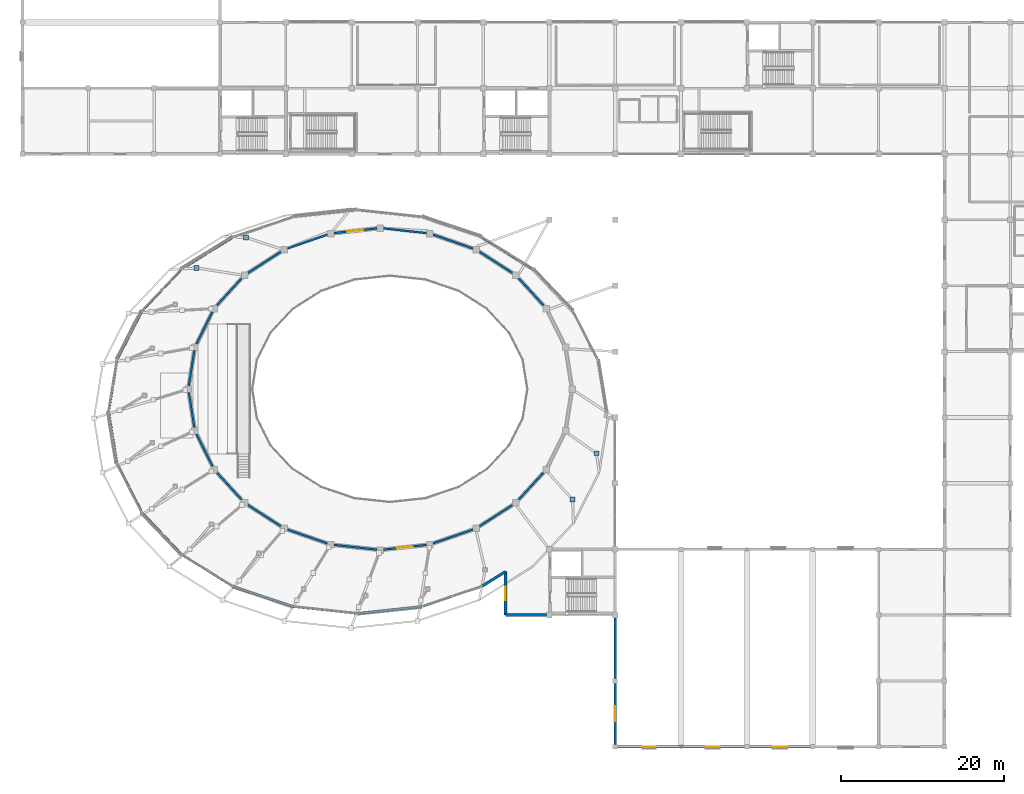
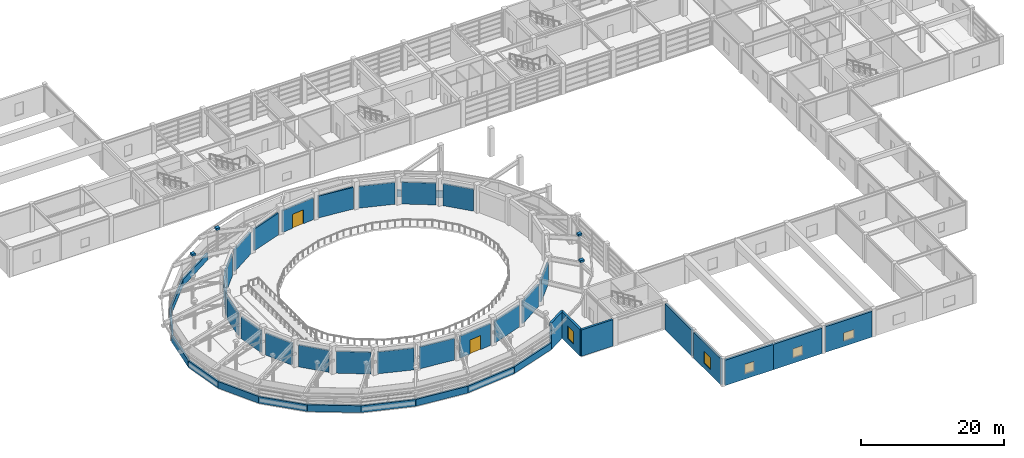
# One storey, part 41 of 58: 41 walls, 5 windows, 4 plates, 2 doors, 7 openings.
"""IFC4 building model written with IfcOpenShell, lengths in metres."""

from ifc_helpers import new_model, si_unit, direction, frame, frame_2d, origin, origin_2d, place, context, subcontext, project, spatial, rectangle, extrude, material, layer, layer_set, type_object, element, fill, save


model = new_model("IFC4")

# Units and contexts
model_context = context("Model", 3, precision=1e-05, world=origin(), true_north=direction((0.0, 1.0)))
body_context = subcontext(model_context, "Body", "Model", "MODEL_VIEW")
ifc_project = project(units=[si_unit("LENGTHUNIT", "METRE"), si_unit("AREAUNIT", "SQUARE_METRE"), si_unit("VOLUMEUNIT", "CUBIC_METRE"), si_unit("PLANEANGLEUNIT", "RADIAN"), si_unit("MASSUNIT", "GRAM", prefix="KILO")], contexts=[model_context])

# Site, building, storey
site_placement = place(None, origin())
site = spatial("IfcSite", under=ifc_project, at=site_placement, CompositionType="ELEMENT")
building_placement = place(site_placement, origin())
building = spatial("IfcBuilding", under=site, at=building_placement, Name="Parian Resonance Hall", CompositionType="ELEMENT")
storey_placement = place(building_placement, frame((0.0, 0.0, 10.199951171875)))
storey = spatial("IfcBuildingStorey", under=building, at=storey_placement, Name="L02", CompositionType="ELEMENT", Elevation=10.199951171875)

# Plates
ifc_material_1 = material(Name="Steel S355", Category="steel")
ifc_layer_1 = layer(ifc_material_1, 0.340087890625)
ifc_layer_set_1 = layer_set([ifc_layer_1], Name="Steel S355")
plate_type = type_object("IfcPlateType", Name="PLT-CAP-500", PredefinedType="SHEET", material=ifc_layer_set_1)
for number, where, z_axis, x_axis, name in (
    (1, (21.410888671875, 58.887939453125, 4.6298828125), (0.0, 0.0, 1.0), (1.0, 0.0, 0.0), "Steel hollow-section node closure block 0081"),
    (2, (27.5, 62.637939453125, 4.6298828125), (0.0, 0.0, 1.0), (1.0, 0.0, 0.0), "Steel hollow-section node closure block 0109"),
    (3, (67.660888671875, 30.39990234375, 4.6298828125), (0.0, 0.0, 1.0), (1.0, 0.0, 0.0), "Steel hollow-section node closure block 0276"),
    (4, (70.597900390625, 36.092041015625, 4.6298828125), (0.0, 0.0, 1.0), (1.0, 0.0, 0.0), "Steel hollow-section node closure block 0279"),
):
    element("IfcPlate", number, at=place(storey_placement, frame(where, z_axis=z_axis, x_axis=x_axis)), inside=storey, type_object=plate_type, Name=name, PredefinedType="SHEET", context=body_context, shape_type="SweptSolid", body=[
        extrude(rectangle(XDim=0.580078125, YDim=0.580078125, at=origin_2d()), origin(), (0.0, 0.0, 1.0), 0.340087890625),
    ])

# Walls
ifc_material_2 = material(Name="Concrete C35/45 with white lime plaster and polychrome mosaic", Category="concrete")
ifc_layer_2 = layer(ifc_material_2, 0.2900390625)
ifc_layer_set_2 = layer_set([ifc_layer_2], Name="Concrete C35/45 with white lime plaster and polychrome mosaic")
wall_type_1 = type_object("IfcWallType", Name="EW-RING-290", PredefinedType="SOLIDWALL", material=ifc_layer_set_2)
for number, where, z_axis, x_axis, name in (
    (5, (56.5, 62.677490234375, 0.0), (0.0, 0.0, 1.0), (0.849168757423, -0.528121597189, 0.0), "Elliptical R2 mosaic spandrel wall 04"),
    (6, (19.5625, 58.736083984375, 0.0), (0.0, 0.0, 1.0), (0.849168757423, 0.528121597189, 0.0), "Elliptical R2 mosaic spandrel wall 09"),
):
    element("IfcWall", number, at=place(storey_placement, frame(where, z_axis=z_axis, x_axis=x_axis)), inside=storey, type_object=wall_type_1, Name=name, PredefinedType="SOLIDWALL", context=body_context, shape_type="SweptSolid", body=[
        extrude(rectangle(XDim=7.463134765625, YDim=0.2900390625, at=frame_2d((3.7314453125, 0.0))), origin(), (0.0, 0.0, 1.0), 1.150146484375),
    ])
wall_1_placement = place(storey_placement, frame((14.69970703125, 53.60009765625, 0.0), z_axis=(0.0, 0.0, 1.0), x_axis=(0.687530152582, 0.726155829895, 0.0)))
element("IfcWall", 7, at=wall_1_placement, inside=storey, type_object=wall_type_1, Name="Elliptical R2 mosaic spandrel wall 10", PredefinedType="SOLIDWALL", context=body_context, shape_type="SweptSolid", body=[
    extrude(rectangle(XDim=7.07275390625, YDim=0.2900390625, at=frame_2d((3.536376953125, 0.0))), origin(), (0.0, 0.0, 1.0), 1.150146484375),
])
wall_2_placement = place(storey_placement, frame((11.642578125, 47.61865234375, 0.0), z_axis=(0.0, 0.0, 1.0), x_axis=(0.455104656104, 0.890437955162, 0.0)))
element("IfcWall", 8, at=wall_2_placement, inside=storey, type_object=wall_type_1, Name="Elliptical R2 mosaic spandrel wall 11", PredefinedType="SOLIDWALL", context=body_context, shape_type="SweptSolid", body=[
    extrude(rectangle(XDim=6.717529296875, YDim=0.2900390625, at=frame_2d((3.35888671875, 0.0))), origin(), (0.0, 0.0, 1.0), 1.150146484375),
])
for number, where, z_axis, x_axis, name in (
    (9, (10.60009765625, 41.199951171875, 0.0), (0.0, 0.0, 1.0), (0.160312396627, 0.987066327806, 0.0), "Elliptical R2 mosaic spandrel wall 12"),
    (10, (11.642578125, 34.78125, 0.0), (0.0, 0.0, 1.0), (-0.160312396627, 0.987066327806, 0.0), "Elliptical R2 mosaic spandrel wall 13"),
):
    element("IfcWall", number, at=place(storey_placement, frame(where, z_axis=z_axis, x_axis=x_axis)), inside=storey, type_object=wall_type_1, Name=name, PredefinedType="SOLIDWALL", context=body_context, shape_type="SweptSolid", body=[
        extrude(rectangle(XDim=6.502685546875, YDim=0.2900390625, at=frame_2d((3.25146484375, 0.0))), origin(), (0.0, 0.0, 1.0), 1.150146484375),
    ])
wall_3_placement = place(storey_placement, frame((14.69970703125, 28.800048828125, 0.0), z_axis=(0.0, 0.0, 1.0), x_axis=(-0.455119384815, 0.890430427134, 0.0)))
element("IfcWall", 11, at=wall_3_placement, inside=storey, type_object=wall_type_1, Name="Elliptical R2 mosaic spandrel wall 14", PredefinedType="SOLIDWALL", context=body_context, shape_type="SweptSolid", body=[
    extrude(rectangle(XDim=6.71728515625, YDim=0.2900390625, at=frame_2d((3.358642578125, 0.0))), origin(), (0.0, 0.0, 1.0), 1.150146484375),
])
wall_4_placement = place(storey_placement, frame((19.5625, 23.663818359375, 0.0), z_axis=(0.0, 0.0, 1.0), x_axis=(-0.687512919554, 0.726172145877, 0.0)))
element("IfcWall", 12, at=wall_4_placement, inside=storey, type_object=wall_type_1, Name="Elliptical R2 mosaic spandrel wall 15", PredefinedType="SOLIDWALL", context=body_context, shape_type="SweptSolid", body=[
    extrude(rectangle(XDim=7.072998046875, YDim=0.2900390625, at=frame_2d((3.53662109375, 0.0))), origin(), (0.0, 0.0, 1.0), 1.150146484375),
])
wall_5_placement = place(storey_placement, frame((25.89990234375, 19.72265625, 0.0), z_axis=(0.0, 0.0, 1.0), x_axis=(-0.849183428044, 0.528098007509, 0.0)))
element("IfcWall", 13, at=wall_5_placement, inside=storey, type_object=wall_type_1, Name="Elliptical R2 mosaic spandrel wall 16", PredefinedType="SOLIDWALL", context=body_context, shape_type="SweptSolid", body=[
    extrude(rectangle(XDim=7.462890625, YDim=0.2900390625, at=frame_2d((3.7314453125, 0.0))), origin(), (0.0, 0.0, 1.0), 1.150146484375),
])
wall_6_placement = place(storey_placement, frame((33.280029296875, 17.2451171875, 0.0), z_axis=(0.0, 0.0, 1.0), x_axis=(-0.948006883481, 0.318249821481, 0.0)))
element("IfcWall", 14, at=wall_6_placement, inside=storey, type_object=wall_type_1, Name="Elliptical R2 mosaic spandrel wall 17", PredefinedType="SOLIDWALL", context=body_context, shape_type="SweptSolid", body=[
    extrude(rectangle(XDim=7.784912109375, YDim=0.2900390625, at=frame_2d((3.892578125, 0.0))), origin(), (0.0, 0.0, 1.0), 1.150146484375),
])
for number, where, z_axis, x_axis, name in (
    (15, (41.199951171875, 16.39990234375, 0.0), (0.0, 0.0, 1.0), (-0.99435359569, 0.106117513819, 0.0), "Elliptical R2 mosaic spandrel wall 18"),
    (16, (49.119873046875, 17.2451171875, 0.0), (0.0, 0.0, 1.0), (-0.99435359569, -0.106117513819, 0.0), "Elliptical R2 mosaic spandrel wall 19"),
):
    element("IfcWall", number, at=place(storey_placement, frame(where, z_axis=z_axis, x_axis=x_axis)), inside=storey, type_object=wall_type_1, Name=name, PredefinedType="SOLIDWALL", context=body_context, shape_type="SweptSolid", body=[
        extrude(rectangle(XDim=7.96484375, YDim=0.2900390625, at=frame_2d((3.982421875, 0.0))), origin(), (0.0, 0.0, 1.0), 1.150146484375),
    ])
wall_7_placement = place(storey_placement, frame((56.5, 19.72265625, 0.0), z_axis=(0.0, 0.0, 1.0), x_axis=(-0.948006883481, -0.318249821481, 0.0)))
element("IfcWall", 17, at=wall_7_placement, inside=storey, type_object=wall_type_1, Name="Elliptical R2 mosaic spandrel wall 20", PredefinedType="SOLIDWALL", context=body_context, shape_type="SweptSolid", body=[
    extrude(rectangle(XDim=7.784912109375, YDim=0.2900390625, at=frame_2d((3.892578125, 0.0))), origin(), (0.0, 0.0, 1.0), 1.150146484375),
])

# Wall, opening, window
ifc_material_3 = material(Name="Concrete C35/45 with Carcar coral-limestone ashlar", Category="masonry")
ifc_layer_3 = layer(ifc_material_3, 0.340087890625)
ifc_layer_set_3 = layer_set([ifc_layer_3], Name="Concrete C35/45 with Carcar coral-limestone ashlar")
wall_type_2 = type_object("IfcWallType", Name="EW-STONE-340", PredefinedType="SOLIDWALL", material=ifc_layer_set_3)
wall_8_placement = place(storey_placement, frame((72.89990234375, 7.800048828125, 0.0), z_axis=(0.0, 0.0, 1.0), x_axis=(0.0, -1.0, 0.0)))
wall_8 = element("IfcWall", 18, at=wall_8_placement, inside=storey, type_object=wall_type_2, Name="Exterior wall EW-L02-0141", PredefinedType="SOLIDWALL", context=body_context, shape_type="SweptSolid", body=[
    extrude(rectangle(XDim=7.5, YDim=0.340087890625, at=frame_2d((3.75, 0.0))), origin(), (0.0, 0.0, 1.0), 4.43701171875),
])
opening_1_placement = place(wall_8_placement, frame((2.824951171875, 0.0, 0.89990234375)))
opening_1 = element("IfcOpeningElement", 19, at=opening_1_placement, cuts=wall_8, Name="Opening WN-34", PredefinedType="OPENING", context=body_context, shape_type="SweptSolid", body=[
    extrude(rectangle(XDim=1.85009765625, YDim=2.0, at=frame_2d((0.925048828125, 1.0))), frame((0.0, 0.179931640625, 0.0), z_axis=(0.0, -1.0, 0.0), x_axis=(1.0, 0.0, 0.0)), (0.0, 0.0, 1.0), 0.360107421875),
])
ifc_material_4 = material(Name="Acoustic laminated double glazing", Category="glass")
window_type_1 = type_object("IfcWindowType", Name="WIN-1850x2000", PartitioningType="SINGLE_PANEL", PredefinedType="WINDOW", material=ifc_material_4)
window_1_placement = place(opening_1_placement, origin())
window_1 = element("IfcWindow", 20, at=window_1_placement, inside=storey, type_object=window_type_1, Name="Acoustic window L02-0032", OverallHeight=2.0, OverallWidth=1.85009765625, PartitioningType="SINGLE_PANEL", PredefinedType="WINDOW", context=body_context, shape_type="SweptSolid", body=[
    extrude(rectangle(XDim=1.85009765625, YDim=2.0, at=frame_2d((0.925048828125, 1.0))), frame((0.0, 0.030029296875, 0.0), z_axis=(0.0, -1.0, 0.0), x_axis=(1.0, 0.0, 0.0)), (0.0, 0.0, 1.0), 0.06005859375),
])
fill(opening_1, window_1)

# Walls
wall_9_placement = place(storey_placement, frame((72.89990234375, 15.85009765625, 0.0), z_axis=(0.0, 0.0, 1.0), x_axis=(0.0, -1.0, 0.0)))
element("IfcWall", 21, at=wall_9_placement, inside=storey, type_object=wall_type_2, Name="Exterior wall EW-L02-0142", PredefinedType="SOLIDWALL", context=body_context, shape_type="SweptSolid", body=[
    extrude(rectangle(XDim=7.4501953125, YDim=0.340087890625, at=frame_2d((3.72509765625, 0.0))), origin(), (0.0, 0.0, 1.0), 4.43701171875),
])
wall_10_placement = place(storey_placement, frame((56.5, 19.722900390625, 0.0), z_axis=(0.0, 0.0, 1.0), x_axis=(0.849241135824, 0.528005201891, 0.0)))
element("IfcWall", 22, at=wall_10_placement, inside=storey, type_object=wall_type_2, Name="Perimeter closure wall L02", PredefinedType="SOLIDWALL", context=body_context, shape_type="SweptSolid", body=[
    extrude(rectangle(XDim=3.414794921875, YDim=0.340087890625, at=frame_2d((1.70751953125, 0.0))), origin(), (0.0, 0.0, 1.0), 4.5),
])

# Wall, opening, window
wall_11_placement = place(storey_placement, frame((59.39990234375, 21.52587890625, 0.0), z_axis=(0.0, 0.0, 1.0), x_axis=(0.0, -1.0, 0.0)))
wall_11 = element("IfcWall", 23, at=wall_11_placement, inside=storey, type_object=wall_type_2, Name="Perimeter closure wall L02", PredefinedType="SOLIDWALL", context=body_context, shape_type="SweptSolid", body=[
    extrude(rectangle(XDim=5.325927734375, YDim=0.340087890625, at=frame_2d((2.6630859375, 0.0))), origin(), (0.0, 0.0, 1.0), 4.5),
])
opening_2_placement = place(wall_11_placement, frame((1.837890625, 0.0, 0.89990234375)))
opening_2 = element("IfcOpeningElement", 24, at=opening_2_placement, cuts=wall_11, Name="Opening WN-29", PredefinedType="OPENING", context=body_context, shape_type="SweptSolid", body=[
    extrude(rectangle(XDim=1.64990234375, YDim=2.14990234375, at=frame_2d((0.824951171875, 1.074951171875))), frame((0.0, 0.179931640625, 0.0), z_axis=(0.0, -1.0, 0.0), x_axis=(1.0, 0.0, 0.0)), (0.0, 0.0, 1.0), 0.360107421875),
])
ifc_material_5 = material(Name="Acoustic laminated double glazing", Category="glass")
window_type_2 = type_object("IfcWindowType", Name="WIN-1650x2150", PartitioningType="SINGLE_PANEL", PredefinedType="WINDOW", material=ifc_material_5)
window_2_placement = place(opening_2_placement, origin())
window_2 = element("IfcWindow", 25, at=window_2_placement, inside=storey, type_object=window_type_2, Name="Acoustic window L02-0103", OverallHeight=2.14990234375, OverallWidth=1.64990234375, PartitioningType="SINGLE_PANEL", PredefinedType="WINDOW", context=body_context, shape_type="SweptSolid", body=[
    extrude(rectangle(XDim=1.64990234375, YDim=2.14990234375, at=frame_2d((0.824951171875, 1.074951171875))), frame((0.0, 0.030029296875, 0.0), z_axis=(0.0, -1.0, 0.0), x_axis=(1.0, 0.0, 0.0)), (0.0, 0.0, 1.0), 0.06005859375),
])
fill(opening_2, window_2)

# Wall
wall_12_placement = place(storey_placement, frame((59.39990234375, 16.199951171875, 0.0), z_axis=(0.0, 0.0, 1.0), x_axis=(1.0, 0.0, 0.0)))
element("IfcWall", 26, at=wall_12_placement, inside=storey, type_object=wall_type_2, Name="Perimeter closure wall L02", PredefinedType="SOLIDWALL", context=body_context, shape_type="SweptSolid", body=[
    extrude(rectangle(XDim=5.050048828125, YDim=0.340087890625, at=frame_2d((2.52490234375, 0.0))), origin(), (0.0, 0.0, 1.0), 4.5),
])

# Wall, opening, window
ifc_material_6 = material(Name="Concrete C35/45 with Carcar coral-limestone ashlar", Category="masonry")
ifc_layer_4 = layer(ifc_material_6, 0.360107421875)
ifc_layer_set_4 = layer_set([ifc_layer_4], Name="Concrete C35/45 with Carcar coral-limestone ashlar")
wall_type_3 = type_object("IfcWallType", Name="EW-STONE-360", PredefinedType="SOLIDWALL", material=ifc_layer_set_4)
wall_13_placement = place(storey_placement, frame((81.0, 0.0, 0.0), z_axis=(0.0, 0.0, 1.0), x_axis=(-1.0, 0.0, 0.0)))
wall_13 = element("IfcWall", 27, at=wall_13_placement, inside=storey, type_object=wall_type_3, Name="Exterior wall EW-L02-0126", PredefinedType="SOLIDWALL", context=body_context, shape_type="SweptSolid", body=[
    extrude(rectangle(XDim=7.800048828125, YDim=0.360107421875, at=frame_2d((3.89990234375, 0.0))), origin(), (0.0, 0.0, 1.0), 4.324951171875),
])
opening_3_placement = place(wall_13_placement, frame((3.175048828125, 0.0, 0.89990234375)))
opening_3 = element("IfcOpeningElement", 28, at=opening_3_placement, cuts=wall_13, Name="Opening WN-21", PredefinedType="OPENING", context=body_context, shape_type="SweptSolid", body=[
    extrude(rectangle(XDim=1.449951171875, YDim=1.60009765625, at=frame_2d((0.72509765625, 0.800048828125))), frame((0.0, 0.18994140625, 0.0), z_axis=(0.0, -1.0, 0.0), x_axis=(1.0, 0.0, 0.0)), (0.0, 0.0, 1.0), 0.380126953125),
])
ifc_material_7 = material(Name="Acoustic laminated double glazing", Category="glass")
window_type_3 = type_object("IfcWindowType", Name="WIN-1450x1600", PartitioningType="SINGLE_PANEL", PredefinedType="WINDOW", material=ifc_material_7)
window_3_placement = place(opening_3_placement, origin())
window_3 = element("IfcWindow", 29, at=window_3_placement, inside=storey, type_object=window_type_3, Name="Acoustic window L02-0020", OverallHeight=1.60009765625, OverallWidth=1.449951171875, PartitioningType="SINGLE_PANEL", PredefinedType="WINDOW", context=body_context, shape_type="SweptSolid", body=[
    extrude(rectangle(XDim=1.449951171875, YDim=1.60009765625, at=frame_2d((0.72509765625, 0.800048828125))), frame((0.0, 0.030029296875, 0.0), z_axis=(0.0, -1.0, 0.0), x_axis=(1.0, 0.0, 0.0)), (0.0, 0.0, 1.0), 0.06005859375),
])
fill(opening_3, window_3)

wall_14_placement = place(storey_placement, frame((88.800048828125, 0.0, 0.0), z_axis=(0.0, 0.0, 1.0), x_axis=(-1.0, 0.0, 0.0)))
wall_14 = element("IfcWall", 30, at=wall_14_placement, inside=storey, type_object=wall_type_3, Name="Exterior wall EW-L02-0130", PredefinedType="SOLIDWALL", context=body_context, shape_type="SweptSolid", body=[
    extrude(rectangle(XDim=7.800048828125, YDim=0.360107421875, at=frame_2d((3.89990234375, 0.0))), origin(), (0.0, 0.0, 1.0), 4.324951171875),
])
opening_4_placement = place(wall_14_placement, frame((3.125, 0.0, 0.89990234375)))
opening_4 = element("IfcOpeningElement", 31, at=opening_4_placement, cuts=wall_14, Name="Opening WN-24", PredefinedType="OPENING", context=body_context, shape_type="SweptSolid", body=[
    extrude(rectangle(XDim=1.550048828125, YDim=1.550048828125, at=frame_2d((0.77490234375, 0.77490234375))), frame((0.0, 0.18994140625, 0.0), z_axis=(0.0, -1.0, 0.0), x_axis=(1.0, 0.0, 0.0)), (0.0, 0.0, 1.0), 0.380126953125),
])
ifc_material_8 = material(Name="Acoustic laminated double glazing", Category="glass")
window_type_4 = type_object("IfcWindowType", Name="WIN-1550x1550", PartitioningType="SINGLE_PANEL", PredefinedType="WINDOW", material=ifc_material_8)
window_4_placement = place(opening_4_placement, origin())
window_4 = element("IfcWindow", 32, at=window_4_placement, inside=storey, type_object=window_type_4, Name="Acoustic window L02-0022", OverallHeight=1.550048828125, OverallWidth=1.550048828125, PartitioningType="SINGLE_PANEL", PredefinedType="WINDOW", context=body_context, shape_type="SweptSolid", body=[
    extrude(rectangle(XDim=1.550048828125, YDim=1.550048828125, at=frame_2d((0.77490234375, 0.77490234375))), frame((0.0, 0.030029296875, 0.0), z_axis=(0.0, -1.0, 0.0), x_axis=(1.0, 0.0, 0.0)), (0.0, 0.0, 1.0), 0.06005859375),
])
fill(opening_4, window_4)

wall_15_placement = place(storey_placement, frame((96.89990234375, 0.0, 0.0), z_axis=(0.0, 0.0, 1.0), x_axis=(-1.0, 0.0, 0.0)))
wall_15 = element("IfcWall", 33, at=wall_15_placement, inside=storey, type_object=wall_type_3, Name="Exterior wall EW-L02-0133", PredefinedType="SOLIDWALL", context=body_context, shape_type="SweptSolid", body=[
    extrude(rectangle(XDim=7.5, YDim=0.360107421875, at=frame_2d((3.75, 0.0))), origin(), (0.0, 0.0, 1.0), 4.376953125),
])
opening_5_placement = place(wall_15_placement, frame((2.925048828125, 0.0, 0.89990234375)))
opening_5 = element("IfcOpeningElement", 34, at=opening_5_placement, cuts=wall_15, Name="Opening WN-27", PredefinedType="OPENING", context=body_context, shape_type="SweptSolid", body=[
    extrude(rectangle(XDim=1.64990234375, YDim=1.39990234375, at=frame_2d((0.824951171875, 0.699951171875))), frame((0.0, 0.18994140625, 0.0), z_axis=(0.0, -1.0, 0.0), x_axis=(1.0, 0.0, 0.0)), (0.0, 0.0, 1.0), 0.380126953125),
])
ifc_material_9 = material(Name="Acoustic laminated double glazing", Category="glass")
window_type_5 = type_object("IfcWindowType", Name="WIN-1650x1400", PartitioningType="SINGLE_PANEL", PredefinedType="WINDOW", material=ifc_material_9)
window_5_placement = place(opening_5_placement, origin())
window_5 = element("IfcWindow", 35, at=window_5_placement, inside=storey, type_object=window_type_5, Name="Acoustic window L02-0025", OverallHeight=1.39990234375, OverallWidth=1.64990234375, PartitioningType="SINGLE_PANEL", PredefinedType="WINDOW", context=body_context, shape_type="SweptSolid", body=[
    extrude(rectangle(XDim=1.64990234375, YDim=1.39990234375, at=frame_2d((0.824951171875, 0.699951171875))), frame((0.0, 0.030029296875, 0.0), z_axis=(0.0, -1.0, 0.0), x_axis=(1.0, 0.0, 0.0)), (0.0, 0.0, 1.0), 0.06005859375),
])
fill(opening_5, window_5)

# Walls
ifc_material_10 = material(Name="Concrete C35/45 fire barrier", Category="concrete")
ifc_layer_5 = layer(ifc_material_10, 0.25)
ifc_layer_set_5 = layer_set([ifc_layer_5], Name="Concrete C35/45 fire barrier")
wall_type_4 = type_object("IfcWallType", Name="HW250", PredefinedType="SOLIDWALL", material=ifc_layer_set_5)
wall_16_placement = place(storey_placement, frame((61.053466796875, 57.6005859375, 0.0), z_axis=(0.0, 0.0, 1.0), x_axis=(0.674940761195, -0.73787191902, 0.0)))
element("IfcWall", 36, at=wall_16_placement, inside=storey, type_object=wall_type_4, Name="Main Concert Hall acoustic drum wall L02-03", PredefinedType="SOLIDWALL", context=body_context, shape_type="SweptSolid", body=[
    extrude(rectangle(XDim=4.47314453125, YDim=0.25, at=frame_2d((2.236572265625, 0.0))), origin(), (0.0, 0.0, 1.0), 3.72412109375),
])
wall_17_placement = place(storey_placement, frame((56.199951171875, 60.889892578125, 0.0), z_axis=(0.0, 0.0, 1.0), x_axis=(0.840820955445, -0.541313329675, 0.0)))
element("IfcWall", 37, at=wall_17_placement, inside=storey, type_object=wall_type_4, Name="Main Concert Hall acoustic drum wall L02-04", PredefinedType="SOLIDWALL", context=body_context, shape_type="SweptSolid", body=[
    extrude(rectangle(XDim=4.861572265625, YDim=0.25, at=frame_2d((2.4306640625, 0.0))), origin(), (0.0, 0.0, 1.0), 3.72412109375),
])
wall_18_placement = place(storey_placement, frame((50.508056640625, 62.986328125, 0.0), z_axis=(0.0, 0.0, 1.0), x_axis=(0.94459024808, -0.328251828985, 0.0)))
element("IfcWall", 38, at=wall_18_placement, inside=storey, type_object=wall_type_4, Name="Main Concert Hall acoustic drum wall L02-05", PredefinedType="SOLIDWALL", context=body_context, shape_type="SweptSolid", body=[
    extrude(rectangle(XDim=5.1787109375, YDim=0.25, at=frame_2d((2.58935546875, 0.0))), origin(), (0.0, 0.0, 1.0), 3.72412109375),
])
wall_19_placement = place(storey_placement, frame((44.39990234375, 63.755859375, 0.0), z_axis=(0.0, 0.0, 1.0), x_axis=(0.99395267112, -0.109809323707, 0.0)))
element("IfcWall", 39, at=wall_19_placement, inside=storey, type_object=wall_type_4, Name="Main Concert Hall acoustic drum wall L02-06", PredefinedType="SOLIDWALL", context=body_context, shape_type="SweptSolid", body=[
    extrude(rectangle(XDim=5.34033203125, YDim=0.25, at=frame_2d((2.670166015625, 0.0))), origin(), (0.0, 0.0, 1.0), 3.72412109375),
])

# Wall, opening, door
wall_20_placement = place(storey_placement, frame((38.2919921875, 63.16943359375, 0.0), z_axis=(0.0, 0.0, 1.0), x_axis=(0.99395267112, 0.109809323707, 0.0)))
wall_20 = element("IfcWall", 40, at=wall_20_placement, inside=storey, type_object=wall_type_4, Name="Main Concert Hall acoustic drum wall L02-07", PredefinedType="SOLIDWALL", context=body_context, shape_type="SweptSolid", body=[
    extrude(rectangle(XDim=5.34033203125, YDim=0.25, at=frame_2d((2.670166015625, 0.0))), origin(), (0.0, 0.0, 1.0), 3.72412109375),
])
opening_6_placement = place(wall_20_placement, frame((1.72021484375, 0.0, 0.0)))
opening_6 = element("IfcOpeningElement", 41, at=opening_6_placement, cuts=wall_20, Name="Opening ID-03", PredefinedType="OPENING", context=body_context, shape_type="SweptSolid", body=[
    extrude(rectangle(XDim=1.89990234375, YDim=2.39990234375, at=frame_2d((0.949951171875, 1.199951171875))), frame((0.0, 0.135009765625, 0.0), z_axis=(0.0, -1.0, 0.0), x_axis=(1.0, 0.0, 0.0)), (0.0, 0.0, 1.0), 0.27001953125),
])
ifc_material_11 = material(Name="Fire-rated acoustic steel and narra timber door", Category="steel")
door_type = type_object("IfcDoorType", Name="ID-HALL-1900x2400", OperationType="NOTDEFINED", PredefinedType="DOOR", material=ifc_material_11)
door_1_placement = place(opening_6_placement, origin())
door_1 = element("IfcDoor", 42, at=door_1_placement, inside=storey, type_object=door_type, Name="Main Concert Hall acoustic sound-lock door L02-07", OperationType="DOUBLE_DOOR_SINGLE_SWING", OverallHeight=2.39990234375, OverallWidth=1.89990234375, PredefinedType="DOOR", context=body_context, shape_type="SweptSolid", body=[
    extrude(rectangle(XDim=1.89990234375, YDim=2.39990234375, at=frame_2d((0.949951171875, 1.199951171875))), frame((0.0, 0.02490234375, 0.0), z_axis=(0.0, -1.0, 0.0), x_axis=(1.0, 0.0, 0.0)), (0.0, 0.0, 1.0), 0.050048828125),
])
fill(opening_6, door_1)

# Walls
wall_21_placement = place(storey_placement, frame((32.60009765625, 61.286376953125, 0.0), z_axis=(0.0, 0.0, 1.0), x_axis=(0.94459024808, 0.328251828985, 0.0)))
element("IfcWall", 43, at=wall_21_placement, inside=storey, type_object=wall_type_4, Name="Main Concert Hall acoustic drum wall L02-08", PredefinedType="SOLIDWALL", context=body_context, shape_type="SweptSolid", body=[
    extrude(rectangle(XDim=5.1787109375, YDim=0.25, at=frame_2d((2.58935546875, 0.0))), origin(), (0.0, 0.0, 1.0), 3.72412109375),
])
wall_22_placement = place(storey_placement, frame((27.71240234375, 58.25830078125, 0.0), z_axis=(0.0, 0.0, 1.0), x_axis=(0.840820955445, 0.541313329675, 0.0)))
element("IfcWall", 44, at=wall_22_placement, inside=storey, type_object=wall_type_4, Name="Main Concert Hall acoustic drum wall L02-09", PredefinedType="SOLIDWALL", context=body_context, shape_type="SweptSolid", body=[
    extrude(rectangle(XDim=4.861572265625, YDim=0.25, at=frame_2d((2.4306640625, 0.0))), origin(), (0.0, 0.0, 1.0), 3.72412109375),
])
wall_23_placement = place(storey_placement, frame((23.927490234375, 54.300048828125, 0.0), z_axis=(0.0, 0.0, 1.0), x_axis=(0.674940761195, 0.73787191902, 0.0)))
element("IfcWall", 45, at=wall_23_placement, inside=storey, type_object=wall_type_4, Name="Main Concert Hall acoustic drum wall L02-10", PredefinedType="SOLIDWALL", context=body_context, shape_type="SweptSolid", body=[
    extrude(rectangle(XDim=4.47314453125, YDim=0.25, at=frame_2d((2.236572265625, 0.0))), origin(), (0.0, 0.0, 1.0), 3.72412109375),
])
wall_24_placement = place(storey_placement, frame((21.401611328125, 49.524658203125, 0.0), z_axis=(0.0, 0.0, 1.0), x_axis=(0.442692313403, 0.896673583671, 0.0)))
element("IfcWall", 46, at=wall_24_placement, inside=storey, type_object=wall_type_4, Name="Main Concert Hall acoustic drum wall L02-11", PredefinedType="SOLIDWALL", context=body_context, shape_type="SweptSolid", body=[
    extrude(rectangle(XDim=4.433349609375, YDim=0.25, at=frame_2d((2.216796875, 0.0))), origin(), (0.0, 0.0, 1.0), 3.72412109375),
])
for number, where, z_axis, x_axis, name in (
    (47, (20.462890625, 44.39990234375, 0.0), (0.0, 0.0, 1.0), (0.154985912507, 0.987916680153, 0.0), "Main Concert Hall acoustic drum wall L02-12"),
    (48, (21.141357421875, 39.275390625, 0.0), (0.0, 0.0, 1.0), (-0.154985912507, 0.987916680153, 0.0), "Main Concert Hall acoustic drum wall L02-13"),
):
    element("IfcWall", number, at=place(storey_placement, frame(where, z_axis=z_axis, x_axis=x_axis)), inside=storey, type_object=wall_type_4, Name=name, PredefinedType="SOLIDWALL", context=body_context, shape_type="SweptSolid", body=[
        extrude(rectangle(XDim=4.377685546875, YDim=0.25, at=frame_2d((2.18896484375, 0.0))), origin(), (0.0, 0.0, 1.0), 3.72412109375),
    ])
wall_25_placement = place(storey_placement, frame((23.3642578125, 34.5, 0.0), z_axis=(0.0, 0.0, 1.0), x_axis=(-0.442692313403, 0.896673583671, 0.0)))
element("IfcWall", 49, at=wall_25_placement, inside=storey, type_object=wall_type_4, Name="Main Concert Hall acoustic drum wall L02-14", PredefinedType="SOLIDWALL", context=body_context, shape_type="SweptSolid", body=[
    extrude(rectangle(XDim=4.433349609375, YDim=0.25, at=frame_2d((2.216796875, 0.0))), origin(), (0.0, 0.0, 1.0), 3.72412109375),
])
wall_26_placement = place(storey_placement, frame((26.946533203125, 30.3994140625, 0.0), z_axis=(0.0, 0.0, 1.0), x_axis=(-0.674940761195, 0.73787191902, 0.0)))
element("IfcWall", 50, at=wall_26_placement, inside=storey, type_object=wall_type_4, Name="Main Concert Hall acoustic drum wall L02-15", PredefinedType="SOLIDWALL", context=body_context, shape_type="SweptSolid", body=[
    extrude(rectangle(XDim=4.47314453125, YDim=0.25, at=frame_2d((2.236572265625, 0.0))), origin(), (0.0, 0.0, 1.0), 3.72412109375),
])
wall_27_placement = place(storey_placement, frame((31.800048828125, 27.110107421875, 0.0), z_axis=(0.0, 0.0, 1.0), x_axis=(-0.840820955445, 0.541313329675, 0.0)))
element("IfcWall", 51, at=wall_27_placement, inside=storey, type_object=wall_type_4, Name="Main Concert Hall acoustic drum wall L02-16", PredefinedType="SOLIDWALL", context=body_context, shape_type="SweptSolid", body=[
    extrude(rectangle(XDim=4.861572265625, YDim=0.25, at=frame_2d((2.4306640625, 0.0))), origin(), (0.0, 0.0, 1.0), 3.72412109375),
])
wall_28_placement = place(storey_placement, frame((37.491943359375, 25.013671875, 0.0), z_axis=(0.0, 0.0, 1.0), x_axis=(-0.94459024808, 0.328251828985, 0.0)))
element("IfcWall", 52, at=wall_28_placement, inside=storey, type_object=wall_type_4, Name="Main Concert Hall acoustic drum wall L02-17", PredefinedType="SOLIDWALL", context=body_context, shape_type="SweptSolid", body=[
    extrude(rectangle(XDim=5.1787109375, YDim=0.25, at=frame_2d((2.58935546875, 0.0))), origin(), (0.0, 0.0, 1.0), 3.72412109375),
])
wall_29_placement = place(storey_placement, frame((43.60009765625, 24.244140625, 0.0), z_axis=(0.0, 0.0, 1.0), x_axis=(-0.99395267112, 0.109809323707, 0.0)))
element("IfcWall", 53, at=wall_29_placement, inside=storey, type_object=wall_type_4, Name="Main Concert Hall acoustic drum wall L02-18", PredefinedType="SOLIDWALL", context=body_context, shape_type="SweptSolid", body=[
    extrude(rectangle(XDim=5.34033203125, YDim=0.25, at=frame_2d((2.670166015625, 0.0))), origin(), (0.0, 0.0, 1.0), 3.72412109375),
])

# Wall, opening, door
wall_30_placement = place(storey_placement, frame((49.7080078125, 24.83056640625, 0.0), z_axis=(0.0, 0.0, 1.0), x_axis=(-0.99395267112, -0.109809323707, 0.0)))
wall_30 = element("IfcWall", 54, at=wall_30_placement, inside=storey, type_object=wall_type_4, Name="Main Concert Hall acoustic drum wall L02-19", PredefinedType="SOLIDWALL", context=body_context, shape_type="SweptSolid", body=[
    extrude(rectangle(XDim=5.34033203125, YDim=0.25, at=frame_2d((2.670166015625, 0.0))), origin(), (0.0, 0.0, 1.0), 3.72412109375),
])
opening_7_placement = place(wall_30_placement, frame((1.72021484375, 0.0, 0.0)))
opening_7 = element("IfcOpeningElement", 55, at=opening_7_placement, cuts=wall_30, Name="Opening ID-03", PredefinedType="OPENING", context=body_context, shape_type="SweptSolid", body=[
    extrude(rectangle(XDim=1.89990234375, YDim=2.39990234375, at=frame_2d((0.949951171875, 1.199951171875))), frame((0.0, 0.135009765625, 0.0), z_axis=(0.0, -1.0, 0.0), x_axis=(1.0, 0.0, 0.0)), (0.0, 0.0, 1.0), 0.27001953125),
])
door_2_placement = place(opening_7_placement, origin())
door_2 = element("IfcDoor", 56, at=door_2_placement, inside=storey, type_object=door_type, Name="Main Concert Hall acoustic sound-lock door L02-19", OperationType="DOUBLE_DOOR_SINGLE_SWING", OverallHeight=2.39990234375, OverallWidth=1.89990234375, PredefinedType="DOOR", context=body_context, shape_type="SweptSolid", body=[
    extrude(rectangle(XDim=1.89990234375, YDim=2.39990234375, at=frame_2d((0.949951171875, 1.199951171875))), frame((0.0, 0.02490234375, 0.0), z_axis=(0.0, -1.0, 0.0), x_axis=(1.0, 0.0, 0.0)), (0.0, 0.0, 1.0), 0.050048828125),
])
fill(opening_7, door_2)

# Walls
wall_31_placement = place(storey_placement, frame((55.39990234375, 26.713623046875, 0.0), z_axis=(0.0, 0.0, 1.0), x_axis=(-0.94459024808, -0.328251828985, 0.0)))
element("IfcWall", 57, at=wall_31_placement, inside=storey, type_object=wall_type_4, Name="Main Concert Hall acoustic drum wall L02-20", PredefinedType="SOLIDWALL", context=body_context, shape_type="SweptSolid", body=[
    extrude(rectangle(XDim=5.1787109375, YDim=0.25, at=frame_2d((2.58935546875, 0.0))), origin(), (0.0, 0.0, 1.0), 3.72412109375),
])
wall_32_placement = place(storey_placement, frame((60.28759765625, 29.74169921875, 0.0), z_axis=(0.0, 0.0, 1.0), x_axis=(-0.840820955445, -0.541313329675, 0.0)))
element("IfcWall", 58, at=wall_32_placement, inside=storey, type_object=wall_type_4, Name="Main Concert Hall acoustic drum wall L02-21", PredefinedType="SOLIDWALL", context=body_context, shape_type="SweptSolid", body=[
    extrude(rectangle(XDim=4.861572265625, YDim=0.25, at=frame_2d((2.4306640625, 0.0))), origin(), (0.0, 0.0, 1.0), 3.72412109375),
])
wall_33_placement = place(storey_placement, frame((64.072509765625, 33.699951171875, 0.0), z_axis=(0.0, 0.0, 1.0), x_axis=(-0.674940761195, -0.73787191902, 0.0)))
element("IfcWall", 59, at=wall_33_placement, inside=storey, type_object=wall_type_4, Name="Main Concert Hall acoustic drum wall L02-22", PredefinedType="SOLIDWALL", context=body_context, shape_type="SweptSolid", body=[
    extrude(rectangle(XDim=4.47314453125, YDim=0.25, at=frame_2d((2.236572265625, 0.0))), origin(), (0.0, 0.0, 1.0), 3.72412109375),
])

save(model, "model.ifc")
